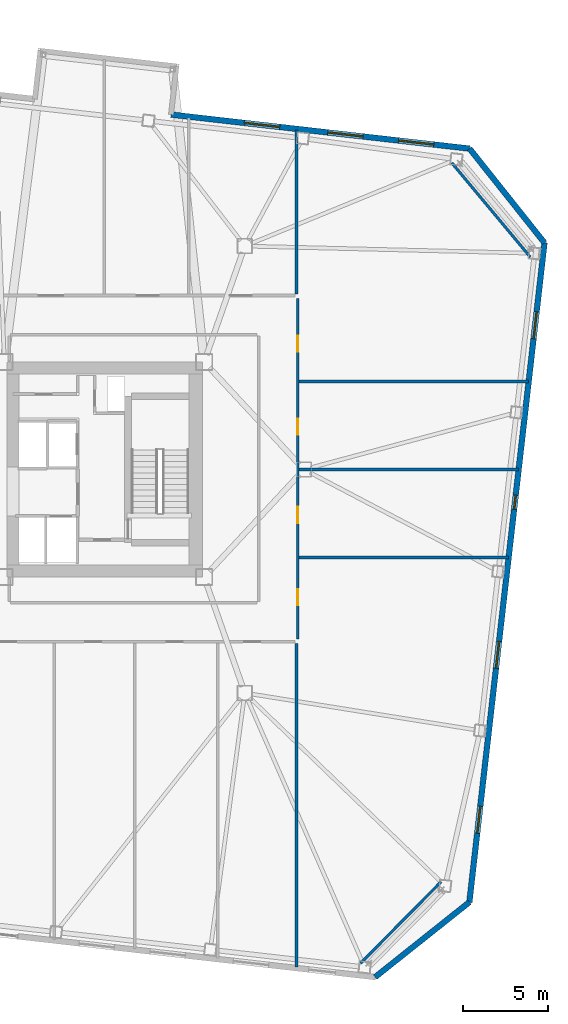
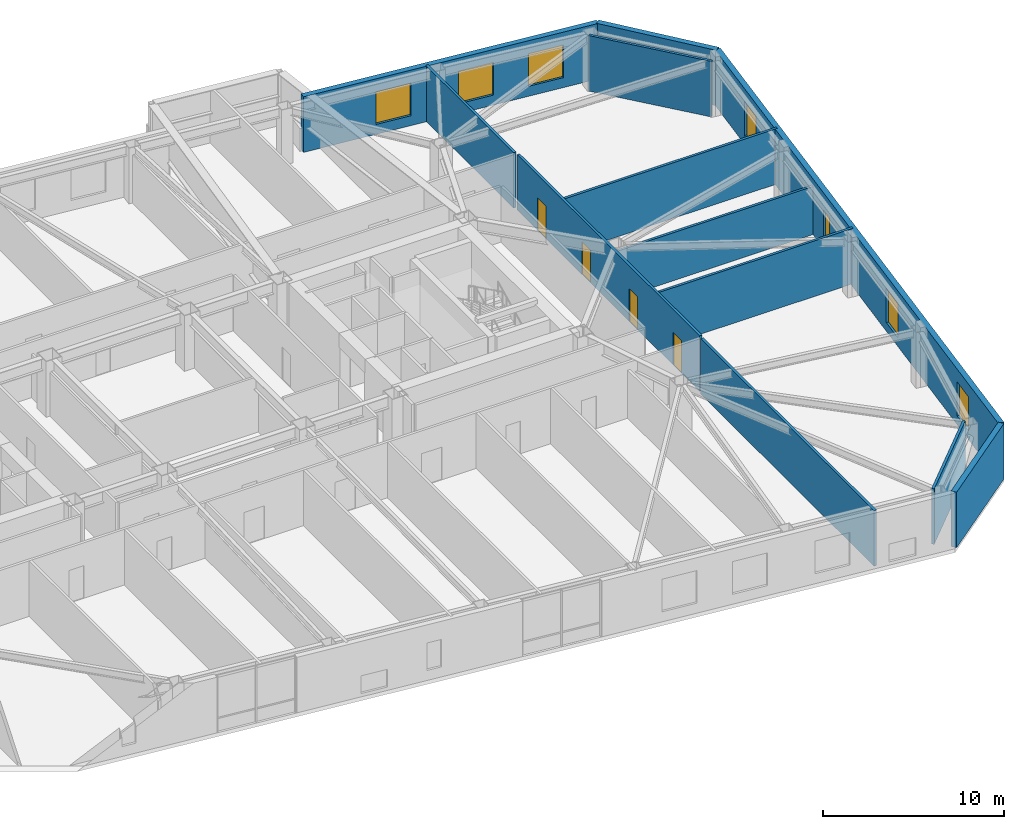
# One storey, part 16 of 22: 12 walls, 7 windows, 4 doors, 11 openings.
"""IFC4 building model written with IfcOpenShell, lengths in metres."""

import ifcopenshell
import ifcopenshell.guid

model = None  # the IFC model being written
_history = None  # IfcOwnerHistory: only IFC2X3 demands one
_inside = {}  # id of a spatial element -> (the spatial element, [elements in it])
_under = {}  # id of a project, library or spatial element -> (it, [spatial elements below it])
_declared = {}  # id of a project -> (the project, [libraries it declares])
_typed = {}  # id of a type object -> (the type object, [elements of that type])
_made_of = {}  # id of a material, layer set ... -> (it, [elements and type objects made of it])


def new_model(schema):
    """Start an empty IFC model of exactly this schema.

    Asked for "IFC4X3", IfcOpenShell would pick the latest addendum, in which some entities
    have other attributes; the version numbers below select the first issue.
    IFC2X3 requires an IfcOwnerHistory on every rooted entity: one is made here for all.
    """
    global model, _history
    if schema == "IFC4X3":
        model = ifcopenshell.file(schema_version=(4, 3, 0, 0))
    else:
        model = ifcopenshell.file(schema=schema)
    _inside.clear()
    _under.clear()
    _declared.clear()
    _typed.clear()
    _made_of.clear()
    _history = None
    if model.schema == "IFC2X3":
        org = make("IfcOrganization", Name="unknown")
        user = make(
            "IfcPersonAndOrganization",
            ThePerson=make("IfcPerson", FamilyName="unknown"),
            TheOrganization=org,
        )
        app = make(
            "IfcApplication",
            ApplicationDeveloper=org,
            Version="unknown",
            ApplicationFullName="unknown",
            ApplicationIdentifier="unknown",
        )
        _history = make(
            "IfcOwnerHistory",
            OwningUser=user,
            OwningApplication=app,
            ChangeAction="ADDED",
            CreationDate=0,
        )
    return model


def make(cls, **values):
    """One entity of the class cls with the attributes given. An attribute that is None is left unset."""
    return model.create_entity(
        cls, **{name: value for name, value in values.items() if value is not None}
    )


def rooted(cls, **values):
    """An entity with a GlobalId (a new one), such as an element, a storey or a relation."""
    return make(cls, GlobalId=ifcopenshell.guid.new(), OwnerHistory=_history, **values)


def si_unit(unit_type, name, prefix=None):
    """IfcSIUnit, for example si_unit("LENGTHUNIT", "METRE", prefix="MILLI")."""
    return make("IfcSIUnit", UnitType=unit_type, Prefix=prefix, Name=name)


def assignment(units):
    """IfcUnitAssignment: the units of a project."""
    return None if units is None else make("IfcUnitAssignment", Units=units)


def point(xyz):
    """IfcCartesianPoint."""
    return None if xyz is None else make("IfcCartesianPoint", Coordinates=xyz)


def direction(xyz):
    """IfcDirection."""
    return None if xyz is None else make("IfcDirection", DirectionRatios=xyz)


def frame(location, z_axis=None, x_axis=None):
    """IfcAxis2Placement3D, a coordinate frame: its origin and axes. An axis left out is left unset."""
    return make(
        "IfcAxis2Placement3D",
        Location=point(location),
        Axis=direction(z_axis),
        RefDirection=direction(x_axis),
    )


def frame_2d(location, x_axis=None):
    """IfcAxis2Placement2D, a coordinate frame in the plane: its origin and x axis."""
    return make(
        "IfcAxis2Placement2D", Location=point(location), RefDirection=direction(x_axis)
    )


def origin():
    """The frame at (0, 0, 0) with its axes left unset."""
    return frame((0.0, 0.0, 0.0))


def place(relative_to, where):
    """IfcLocalPlacement: puts the frame where relative to a parent placement (None: the world)."""
    return make(
        "IfcLocalPlacement", PlacementRelTo=relative_to, RelativePlacement=where
    )


def context(
    kind, dimensions, precision=None, world=None, true_north=None, identifier=None
):
    """IfcGeometricRepresentationContext, for example the 3D "Model" context."""
    return make(
        "IfcGeometricRepresentationContext",
        ContextIdentifier=identifier,
        ContextType=kind,
        CoordinateSpaceDimension=dimensions,
        Precision=precision,
        WorldCoordinateSystem=world,
        TrueNorth=true_north,
    )


def subcontext(parent, identifier, kind, view, scale=None):
    """IfcGeometricRepresentationSubContext, for example "Body" below "Model"."""
    return make(
        "IfcGeometricRepresentationSubContext",
        ContextIdentifier=identifier,
        ContextType=kind,
        ParentContext=parent,
        TargetScale=scale,
        TargetView=view,
    )


def project(units=None, contexts=None):
    """IfcProject with its units and contexts."""
    return rooted(
        "IfcProject",
        Name="project",
        RepresentationContexts=contexts,
        UnitsInContext=assignment(units),
    )


def spatial(cls, under=None, at=None, **own):
    """A site, building, storey or space (cls), placed at a placement, below another one or the project."""
    s = rooted(cls, ObjectPlacement=at, **own)
    if under is not None:
        _under.setdefault(under.id(), (under, []))[1].append(s)
    return s


def profile(cls, at=None, kind="AREA", **sizes):
    """A parametric profile (cls). Its sizes go by their IFC names, for example OverallWidth=200.0."""
    return make(cls, ProfileType=kind, Position=at, **sizes)


def rectangle(**sizes):
    """IfcRectangleProfileDef."""
    return profile("IfcRectangleProfileDef", **sizes)


def extrude(swept, where, along, depth):
    """IfcExtrudedAreaSolid: the profile swept, set in the frame where, extruded along a direction by depth."""
    return make(
        "IfcExtrudedAreaSolid",
        SweptArea=swept,
        Position=where,
        ExtrudedDirection=direction(along),
        Depth=depth,
    )


def shape(context_of_items, identifier, shape_type, items):
    """IfcShapeRepresentation: the items that make up one representation, for example the "Body"."""
    return make(
        "IfcShapeRepresentation",
        ContextOfItems=context_of_items,
        RepresentationIdentifier=identifier,
        RepresentationType=shape_type,
        Items=items,
    )


def material(Name=None, Category=None):
    """IfcMaterial."""
    return make("IfcMaterial", Name=Name, Category=Category)


def layer(
    of_material, thickness, ventilated=None, Name=None, Category=None, Priority=None
):
    """IfcMaterialLayer: one layer of a wall or slab, of a material (None: an air gap)."""
    return make(
        "IfcMaterialLayer",
        Material=of_material,
        LayerThickness=thickness,
        IsVentilated=ventilated,
        Name=Name,
        Category=Category,
        Priority=Priority,
    )


def layer_set(layers, Name=None):
    """IfcMaterialLayerSet."""
    return make("IfcMaterialLayerSet", MaterialLayers=layers, LayerSetName=Name)


def made_of(thing, what):
    """Note that an element or type object is made of a material, layer set ...; save() writes the relation."""
    if what is not None:
        _made_of.setdefault(what.id(), (what, []))[1].append(thing)
    return thing


def type_object(cls, material=None, **own):
    """A type object (cls), such as IfcWallType, which elements share."""
    return made_of(rooted(cls, **own), material)


def element(
    cls,
    number,
    at=None,
    inside=None,
    cuts=None,
    type_object=None,
    material=None,
    context=None,
    identifier="Body",
    shape_type=None,
    held_by="IfcProductDefinitionShape",
    body=None,
    shapes=None,
    **own,
):
    """One element of the class cls, such as IfcWall. Its Tag is "e" and its number.

    at: its placement. inside: the storey or other place that contains it. cuts: it is an
    opening in that element (IfcRelVoidsElement). A single representation is given by context,
    identifier, shape_type and body (its items); several are given by shapes. held_by: the class
    of the entity that holds the representations. save() writes the other relations.
    """
    e = rooted(cls, Tag="e%d" % number, ObjectPlacement=at, **own)
    if body is not None:
        shapes = [shape(context, identifier, shape_type, body)]
    if shapes is not None:
        e.Representation = make(held_by, Representations=shapes)
    if inside is not None:
        _inside.setdefault(inside.id(), (inside, []))[1].append(e)
    if cuts is not None:
        rooted(
            "IfcRelVoidsElement", RelatingBuildingElement=cuts, RelatedOpeningElement=e
        )
    if type_object is not None:
        _typed.setdefault(type_object.id(), (type_object, []))[1].append(e)
    return made_of(e, material)


def fill(opening, filler):
    """IfcRelFillsElement: the door or window that sits in an opening."""
    return rooted(
        "IfcRelFillsElement",
        RelatingOpeningElement=opening,
        RelatedBuildingElement=filler,
    )


def aggregate(whole, parts):
    """IfcRelAggregates: a whole, such as a stair, and the parts it consists of."""
    return rooted("IfcRelAggregates", RelatingObject=whole, RelatedObjects=parts)


def save(model, path):
    """Write the relations noted so far, then the file.

    IfcRelAggregates (storeys below a building ...), IfcRelContainedInSpatialStructure (elements
    in a storey), IfcRelDefinesByType, IfcRelAssociatesMaterial and IfcRelDeclares: one each for
    every whole, place, type object, material and project.
    """
    for whole, parts in _under.values():
        aggregate(whole, parts)
    for where, things in _inside.values():
        rooted(
            "IfcRelContainedInSpatialStructure",
            RelatedElements=things,
            RelatingStructure=where,
        )
    for kind, things in _typed.values():
        rooted("IfcRelDefinesByType", RelatedObjects=things, RelatingType=kind)
    for what, things in _made_of.values():
        rooted("IfcRelAssociatesMaterial", RelatedObjects=things, RelatingMaterial=what)
    for by, libraries in _declared.values():
        rooted("IfcRelDeclares", RelatingContext=by, RelatedDefinitions=libraries)
    model.write(path)


model = new_model("IFC4")

# Units and contexts
model_context = context("Model", 3, precision=1e-05, world=origin(), true_north=direction((0.0, 1.0)))
body_context = subcontext(model_context, "Body", "Model", "MODEL_VIEW")
ifc_project = project(units=[si_unit("LENGTHUNIT", "METRE"), si_unit("AREAUNIT", "SQUARE_METRE"), si_unit("VOLUMEUNIT", "CUBIC_METRE"), si_unit("PLANEANGLEUNIT", "RADIAN"), si_unit("MASSUNIT", "GRAM", prefix="KILO")], contexts=[model_context])

# Site, building, storey
site_placement = place(None, origin())
site = spatial("IfcSite", under=ifc_project, at=site_placement, CompositionType="ELEMENT")
building_placement = place(site_placement, origin())
building = spatial("IfcBuilding", under=site, at=building_placement, Name="Tavrogorsk Clinical Tower", CompositionType="ELEMENT")
storey_placement = place(building_placement, frame((0.0, 0.0, 117.39990234375)))
storey = spatial("IfcBuildingStorey", under=building, at=storey_placement, Name="L26", CompositionType="ELEMENT", Elevation=117.39990234375)

# Walls
ifc_material_1 = material(Name="Lightweight concrete blockwork B15", Category="masonry")
ifc_layer_1 = layer(ifc_material_1, 0.159912109375)
ifc_layer_set_1 = layer_set([ifc_layer_1], Name="Lightweight concrete blockwork B15")
wall_type_1 = type_object("IfcWallType", Name="PartitionWall_160", PredefinedType="PARTITIONING", material=ifc_layer_set_1)
wall_1_placement = place(storey_placement, frame((31.34130859375, -29.162109375, 0.0), z_axis=(0.0, 0.0, 1.0), x_axis=(0.702905898933, 0.711282853192, 0.0)))
element("IfcWall", 1, at=wall_1_placement, inside=storey, type_object=wall_type_1, Name="L26 Corner Exoskeleton Brace Furring Wall 1", PredefinedType="PARTITIONING", context=body_context, shape_type="SweptSolid", body=[
    extrude(rectangle(XDim=6.761474609375, YDim=0.159912109375, at=frame_2d((3.380859375, 0.0))), origin(), (0.0, 0.0, 1.0), 3.739990234375),
])
wall_2_placement = place(storey_placement, frame((41.36083984375, 12.555908203125, 0.0), z_axis=(0.0, 0.0, 1.0), x_axis=(-0.640217638562, 0.768193579298, 0.0)))
element("IfcWall", 2, at=wall_2_placement, inside=storey, type_object=wall_type_1, Name="L26 Corner Exoskeleton Brace Furring Wall 2", PredefinedType="PARTITIONING", context=body_context, shape_type="SweptSolid", body=[
    extrude(rectangle(XDim=7.224365234375, YDim=0.159912109375, at=frame_2d((3.6123046875, 0.0))), origin(), (0.0, 0.0, 1.0), 3.739990234375),
])

# Wall, openings, doors
wall_3_placement = place(storey_placement, frame((27.6298828125, 10.114990234375, 0.0), z_axis=(0.0, 0.0, 1.0), x_axis=(0.0, -1.0, 0.0)))
wall_3 = element("IfcWall", 3, at=wall_3_placement, inside=storey, type_object=wall_type_1, Name="L26 Corridor Partition 03", PredefinedType="PARTITIONING", context=body_context, shape_type="SweptSolid", body=[
    extrude(rectangle(XDim=20.1298828125, YDim=0.159912109375, at=frame_2d((10.06494140625, 0.0))), origin(), (0.0, 0.0, 1.0), 3.739990234375),
])
opening_1_placement = place(wall_3_placement, frame((17.180908203125, 0.0, 0.0)))
opening_1 = element("IfcOpeningElement", 4, at=opening_1_placement, cuts=wall_3, Name="Opening ID-02", PredefinedType="OPENING", context=body_context, shape_type="SweptSolid", body=[
    extrude(rectangle(XDim=0.949951171875, YDim=2.199951171875, at=frame_2d((0.47509765625, 1.10009765625))), frame((0.0, 0.08984375, 0.0), z_axis=(0.0, -1.0, 0.0), x_axis=(1.0, 0.0, 0.0)), (0.0, 0.0, 1.0), 0.179931640625),
])
opening_2_placement = place(wall_3_placement, frame((12.324951171875, 0.0, 0.0)))
opening_2 = element("IfcOpeningElement", 5, at=opening_2_placement, cuts=wall_3, Name="Opening ID-02", PredefinedType="OPENING", context=body_context, shape_type="SweptSolid", body=[
    extrude(rectangle(XDim=0.949951171875, YDim=2.199951171875, at=frame_2d((0.47509765625, 1.10009765625))), frame((0.0, 0.08984375, 0.0), z_axis=(0.0, -1.0, 0.0), x_axis=(1.0, 0.0, 0.0)), (0.0, 0.0, 1.0), 0.179931640625),
])
opening_3_placement = place(wall_3_placement, frame((7.125, 0.0, 0.0)))
opening_3 = element("IfcOpeningElement", 6, at=opening_3_placement, cuts=wall_3, Name="Opening ID-02", PredefinedType="OPENING", context=body_context, shape_type="SweptSolid", body=[
    extrude(rectangle(XDim=0.949951171875, YDim=2.199951171875, at=frame_2d((0.47509765625, 1.10009765625))), frame((0.0, 0.08984375, 0.0), z_axis=(0.0, -1.0, 0.0), x_axis=(1.0, 0.0, 0.0)), (0.0, 0.0, 1.0), 0.179931640625),
])
opening_4_placement = place(wall_3_placement, frame((2.218994140625, 0.0, 0.0)))
opening_4 = element("IfcOpeningElement", 7, at=opening_4_placement, cuts=wall_3, Name="Opening ID-02", PredefinedType="OPENING", context=body_context, shape_type="SweptSolid", body=[
    extrude(rectangle(XDim=0.949951171875, YDim=2.199951171875, at=frame_2d((0.47509765625, 1.10009765625))), frame((0.0, 0.08984375, 0.0), z_axis=(0.0, -1.0, 0.0), x_axis=(1.0, 0.0, 0.0)), (0.0, 0.0, 1.0), 0.179931640625),
])
ifc_material_2 = material(Name="Laminated timber leaf on aluminium frame", Category="wood")
door_type = type_object("IfcDoorType", Name="InteriorDoor_ID02_950", OperationType="NOTDEFINED", PredefinedType="DOOR", material=ifc_material_2)
door_1_placement = place(opening_1_placement, origin())
door_1 = element("IfcDoor", 8, at=door_1_placement, inside=storey, type_object=door_type, Name="L26 E Senior Clinician Suite 1 Door", OperationType="SINGLE_SWING_LEFT", OverallHeight=2.199951171875, OverallWidth=0.949951171875, PredefinedType="DOOR", context=body_context, shape_type="SweptSolid", body=[
    extrude(rectangle(XDim=0.949951171875, YDim=2.199951171875, at=frame_2d((0.47509765625, 1.10009765625))), frame((0.0, 0.02490234375, 0.0), z_axis=(0.0, -1.0, 0.0), x_axis=(1.0, 0.0, 0.0)), (0.0, 0.0, 1.0), 0.050048828125),
])
fill(opening_1, door_1)
door_2_placement = place(opening_2_placement, origin())
door_2 = element("IfcDoor", 9, at=door_2_placement, inside=storey, type_object=door_type, Name="L26 E Multidisciplinary Seminar Suite 2 Door", OperationType="SINGLE_SWING_RIGHT", OverallHeight=2.199951171875, OverallWidth=0.949951171875, PredefinedType="DOOR", context=body_context, shape_type="SweptSolid", body=[
    extrude(rectangle(XDim=0.949951171875, YDim=2.199951171875, at=frame_2d((0.47509765625, 1.10009765625))), frame((0.0, 0.02490234375, 0.0), z_axis=(0.0, -1.0, 0.0), x_axis=(1.0, 0.0, 0.0)), (0.0, 0.0, 1.0), 0.050048828125),
])
fill(opening_2, door_2)
door_3_placement = place(opening_3_placement, origin())
door_3 = element("IfcDoor", 10, at=door_3_placement, inside=storey, type_object=door_type, Name="L26 E Specialist Consultation Room 3 Door", OperationType="SINGLE_SWING_LEFT", OverallHeight=2.199951171875, OverallWidth=0.949951171875, PredefinedType="DOOR", context=body_context, shape_type="SweptSolid", body=[
    extrude(rectangle(XDim=0.949951171875, YDim=2.199951171875, at=frame_2d((0.47509765625, 1.10009765625))), frame((0.0, 0.02490234375, 0.0), z_axis=(0.0, -1.0, 0.0), x_axis=(1.0, 0.0, 0.0)), (0.0, 0.0, 1.0), 0.050048828125),
])
fill(opening_3, door_3)
door_4_placement = place(opening_4_placement, origin())
door_4 = element("IfcDoor", 11, at=door_4_placement, inside=storey, type_object=door_type, Name="L26 E Clinical Fellows' Study 4 Door", OperationType="SINGLE_SWING_RIGHT", OverallHeight=2.199951171875, OverallWidth=0.949951171875, PredefinedType="DOOR", context=body_context, shape_type="SweptSolid", body=[
    extrude(rectangle(XDim=0.949951171875, YDim=2.199951171875, at=frame_2d((0.47509765625, 1.10009765625))), frame((0.0, 0.02490234375, 0.0), z_axis=(0.0, -1.0, 0.0), x_axis=(1.0, 0.0, 0.0)), (0.0, 0.0, 1.0), 0.050048828125),
])
fill(opening_4, door_4)

# Walls
wall_4_placement = place(storey_placement, frame((27.550048828125, 10.364990234375, 0.0), z_axis=(0.0, 0.0, 1.0), x_axis=(0.0, 1.0, 0.0)))
element("IfcWall", 12, at=wall_4_placement, inside=storey, type_object=wall_type_1, Name="L26 NE Wing Closure Partition", PredefinedType="PARTITIONING", context=body_context, shape_type="SweptSolid", body=[
    extrude(rectangle(XDim=9.6884765625, YDim=0.159912109375, at=frame_2d((4.84423828125, 0.0))), origin(), (0.0, 0.0, 1.0), 3.739990234375),
])
wall_5_placement = place(storey_placement, frame((27.550048828125, -29.384521484375, 0.0), z_axis=(0.0, 0.0, 1.0), x_axis=(0.0, 1.0, 0.0)))
element("IfcWall", 13, at=wall_5_placement, inside=storey, type_object=wall_type_1, Name="L26 SE Wing Closure Partition", PredefinedType="PARTITIONING", context=body_context, shape_type="SweptSolid", body=[
    extrude(rectangle(XDim=19.11962890625, YDim=0.159912109375, at=frame_2d((9.559814453125, 0.0))), origin(), (0.0, 0.0, 1.0), 3.739990234375),
])
wall_6_placement = place(storey_placement, frame((27.715087890625, -5.199951171875, 0.0), z_axis=(0.0, 0.0, 1.0), x_axis=(1.0, 0.0, 0.0)))
element("IfcWall", 14, at=wall_6_placement, inside=storey, type_object=wall_type_1, Name="L26 E Wing Divider 1", PredefinedType="PARTITIONING", context=body_context, shape_type="SweptSolid", body=[
    extrude(rectangle(XDim=12.35205078125, YDim=0.159912109375, at=frame_2d((6.176025390625, 0.0))), origin(), (0.0, 0.0, 1.0), 3.739990234375),
])
wall_7_placement = place(storey_placement, frame((27.715087890625, 0.0, 0.0), z_axis=(0.0, 0.0, 1.0), x_axis=(1.0, 0.0, 0.0)))
element("IfcWall", 15, at=wall_7_placement, inside=storey, type_object=wall_type_1, Name="L26 E Wing Divider 2", PredefinedType="PARTITIONING", context=body_context, shape_type="SweptSolid", body=[
    extrude(rectangle(XDim=12.944580078125, YDim=0.159912109375, at=frame_2d((6.47216796875, 0.0))), origin(), (0.0, 0.0, 1.0), 3.235107421875),
])
wall_8_placement = place(storey_placement, frame((27.715087890625, 5.199951171875, 0.0), z_axis=(0.0, 0.0, 1.0), x_axis=(1.0, 0.0, 0.0)))
element("IfcWall", 16, at=wall_8_placement, inside=storey, type_object=wall_type_1, Name="L26 E Wing Divider 3", PredefinedType="PARTITIONING", context=body_context, shape_type="SweptSolid", body=[
    extrude(rectangle(XDim=13.537109375, YDim=0.159912109375, at=frame_2d((6.7685546875, 0.0))), origin(), (0.0, 0.0, 1.0), 3.739990234375),
])

# Wall, openings, windows
ifc_material_3 = material(Name="Precast concrete B45 with limestone cladding", Category="masonry")
ifc_layer_2 = layer(ifc_material_3, 0.340087890625)
ifc_layer_set_2 = layer_set([ifc_layer_2], Name="Precast concrete B45 with limestone cladding")
wall_type_2 = type_object("IfcWallType", Name="PrecastLimestoneWall_340", PredefinedType="STANDARD", material=ifc_layer_set_2)
wall_9_placement = place(storey_placement, frame((37.77734375, 18.95849609375, 0.0), z_axis=(0.0, 0.0, 1.0), x_axis=(-0.993570699365, 0.113213362125, 0.0)))
wall_9 = element("IfcWall", 17, at=wall_9_placement, inside=storey, type_object=wall_type_2, Name="L26 N Limestone Facade Wall 1", PredefinedType="STANDARD", context=body_context, shape_type="SweptSolid", body=[
    extrude(rectangle(XDim=17.749755859375, YDim=0.340087890625, at=frame_2d((8.875, 0.0))), origin(), (0.0, 0.0, 1.0), 3.739990234375),
])
opening_5_placement = place(wall_9_placement, frame((11.284912109375, 0.0, 0.669921875)))
opening_5 = element("IfcOpeningElement", 18, at=opening_5_placement, cuts=wall_9, Name="Opening WN-03", PredefinedType="OPENING", context=body_context, shape_type="SweptSolid", body=[
    extrude(rectangle(XDim=2.10009765625, YDim=2.199951171875, at=frame_2d((1.050048828125, 1.10009765625))), frame((0.0, 0.179931640625, 0.0), z_axis=(0.0, -1.0, 0.0), x_axis=(1.0, 0.0, 0.0)), (0.0, 0.0, 1.0), 0.360107421875),
])
opening_6_placement = place(wall_9_placement, frame((6.335693359375, 0.0, 0.669921875)))
opening_6 = element("IfcOpeningElement", 19, at=opening_6_placement, cuts=wall_9, Name="Opening WN-03", PredefinedType="OPENING", context=body_context, shape_type="SweptSolid", body=[
    extrude(rectangle(XDim=2.10009765625, YDim=2.199951171875, at=frame_2d((1.050048828125, 1.10009765625))), frame((0.0, 0.179931640625, 0.0), z_axis=(0.0, -1.0, 0.0), x_axis=(1.0, 0.0, 0.0)), (0.0, 0.0, 1.0), 0.360107421875),
])
opening_7_placement = place(wall_9_placement, frame((2.125244140625, 0.0, 0.669921875)))
opening_7 = element("IfcOpeningElement", 20, at=opening_7_placement, cuts=wall_9, Name="Opening WN-03", PredefinedType="OPENING", context=body_context, shape_type="SweptSolid", body=[
    extrude(rectangle(XDim=2.10009765625, YDim=2.199951171875, at=frame_2d((1.050048828125, 1.10009765625))), frame((0.0, 0.179931640625, 0.0), z_axis=(0.0, -1.0, 0.0), x_axis=(1.0, 0.0, 0.0)), (0.0, 0.0, 1.0), 0.360107421875),
])
ifc_material_4 = material(Name="Thermally broken aluminium frame and triple IGU", Category="aluminium")
window_type_1 = type_object("IfcWindowType", Name="PatientTwinWin_2100x2200", PartitioningType="DOUBLE_PANEL_VERTICAL", PredefinedType="WINDOW", material=ifc_material_4)
window_1_placement = place(opening_5_placement, origin())
window_1 = element("IfcWindow", 21, at=window_1_placement, inside=storey, type_object=window_type_1, Name="L26 N Chicago Window 08", OverallHeight=2.199951171875, OverallWidth=2.10009765625, PartitioningType="SINGLE_PANEL", PredefinedType="WINDOW", context=body_context, shape_type="SweptSolid", body=[
    extrude(rectangle(XDim=2.10009765625, YDim=2.199951171875, at=frame_2d((1.050048828125, 1.10009765625))), frame((0.0, 0.030029296875, 0.0), z_axis=(0.0, -1.0, 0.0), x_axis=(1.0, 0.0, 0.0)), (0.0, 0.0, 1.0), 0.06005859375),
])
fill(opening_5, window_1)
window_2_placement = place(opening_6_placement, origin())
window_2 = element("IfcWindow", 22, at=window_2_placement, inside=storey, type_object=window_type_1, Name="L26 N Chicago Window 09", OverallHeight=2.199951171875, OverallWidth=2.10009765625, PartitioningType="SINGLE_PANEL", PredefinedType="WINDOW", context=body_context, shape_type="SweptSolid", body=[
    extrude(rectangle(XDim=2.10009765625, YDim=2.199951171875, at=frame_2d((1.050048828125, 1.10009765625))), frame((0.0, 0.030029296875, 0.0), z_axis=(0.0, -1.0, 0.0), x_axis=(1.0, 0.0, 0.0)), (0.0, 0.0, 1.0), 0.06005859375),
])
fill(opening_6, window_2)
window_3_placement = place(opening_7_placement, origin())
window_3 = element("IfcWindow", 23, at=window_3_placement, inside=storey, type_object=window_type_1, Name="L26 N Chicago Window 10", OverallHeight=2.199951171875, OverallWidth=2.10009765625, PartitioningType="SINGLE_PANEL", PredefinedType="WINDOW", context=body_context, shape_type="SweptSolid", body=[
    extrude(rectangle(XDim=2.10009765625, YDim=2.199951171875, at=frame_2d((1.050048828125, 1.10009765625))), frame((0.0, 0.030029296875, 0.0), z_axis=(0.0, -1.0, 0.0), x_axis=(1.0, 0.0, 0.0)), (0.0, 0.0, 1.0), 0.06005859375),
])
fill(opening_7, window_3)

wall_10_placement = place(storey_placement, frame((37.76806640625, -25.556396484375, 0.0), z_axis=(0.0, 0.0, 1.0), x_axis=(0.113201605824, 0.993572038877, 0.0)))
wall_10 = element("IfcWall", 24, at=wall_10_placement, inside=storey, type_object=wall_type_2, Name="L26 E Pleated Limestone Wing Wall", PredefinedType="STANDARD", context=body_context, shape_type="SweptSolid", body=[
    extrude(rectangle(XDim=39.199951171875, YDim=0.340087890625, at=frame_2d((19.60009765625, 0.0))), origin(), (0.0, 0.0, 1.0), 3.739990234375),
])
opening_8_placement = place(wall_10_placement, frame((4.10009765625, 0.0, 0.580078125)))
opening_8 = element("IfcOpeningElement", 25, at=opening_8_placement, cuts=wall_10, Name="Opening WN-07", PredefinedType="OPENING", context=body_context, shape_type="SweptSolid", body=[
    extrude(rectangle(XDim=1.60009765625, YDim=2.300048828125, at=frame_2d((0.800048828125, 1.14990234375))), frame((0.0, 0.179931640625, 0.0), z_axis=(0.0, -1.0, 0.0), x_axis=(1.0, 0.0, 0.0)), (0.0, 0.0, 1.0), 0.360107421875),
])
opening_9_placement = place(wall_10_placement, frame((13.89990234375, 0.0, 0.580078125)))
opening_9 = element("IfcOpeningElement", 26, at=opening_9_placement, cuts=wall_10, Name="Opening WN-07", PredefinedType="OPENING", context=body_context, shape_type="SweptSolid", body=[
    extrude(rectangle(XDim=1.60009765625, YDim=2.300048828125, at=frame_2d((0.800048828125, 1.14990234375))), frame((0.0, 0.179931640625, 0.0), z_axis=(0.0, -1.0, 0.0), x_axis=(1.0, 0.0, 0.0)), (0.0, 0.0, 1.0), 0.360107421875),
])
opening_10_placement = place(wall_10_placement, frame((23.35009765625, 0.0, 0.75)))
opening_10 = element("IfcOpeningElement", 27, at=opening_10_placement, cuts=wall_10, Name="Opening WN-06", PredefinedType="OPENING", context=body_context, shape_type="SweptSolid", body=[
    extrude(rectangle(XDim=0.85009765625, YDim=1.85009765625, at=frame_2d((0.425048828125, 0.925048828125))), frame((0.0, 0.179931640625, 0.0), z_axis=(0.0, -1.0, 0.0), x_axis=(1.0, 0.0, 0.0)), (0.0, 0.0, 1.0), 0.360107421875),
])
opening_11_placement = place(wall_10_placement, frame((33.5, 0.0, 0.580078125)))
opening_11 = element("IfcOpeningElement", 28, at=opening_11_placement, cuts=wall_10, Name="Opening WN-07", PredefinedType="OPENING", context=body_context, shape_type="SweptSolid", body=[
    extrude(rectangle(XDim=1.60009765625, YDim=2.300048828125, at=frame_2d((0.800048828125, 1.14990234375))), frame((0.0, 0.179931640625, 0.0), z_axis=(0.0, -1.0, 0.0), x_axis=(1.0, 0.0, 0.0)), (0.0, 0.0, 1.0), 0.360107421875),
])
ifc_material_5 = material(Name="Thermally broken aluminium frame and triple IGU", Category="aluminium")
window_type_2 = type_object("IfcWindowType", Name="MullionSubWin_850x1850", PartitioningType="SINGLE_PANEL", PredefinedType="WINDOW", material=ifc_material_5)
window_4_placement = place(opening_10_placement, origin())
window_4 = element("IfcWindow", 29, at=window_4_placement, inside=storey, type_object=window_type_2, Name="L26 E Pleat Mullion Window 3A", OverallHeight=1.85009765625, OverallWidth=0.85009765625, PartitioningType="SINGLE_PANEL", PredefinedType="WINDOW", context=body_context, shape_type="SweptSolid", body=[
    extrude(rectangle(XDim=0.85009765625, YDim=1.85009765625, at=frame_2d((0.425048828125, 0.925048828125))), frame((0.0, 0.030029296875, 0.0), z_axis=(0.0, -1.0, 0.0), x_axis=(1.0, 0.0, 0.0)), (0.0, 0.0, 1.0), 0.06005859375),
])
fill(opening_10, window_4)
ifc_material_6 = material(Name="Thermally broken aluminium frame and triple IGU", Category="aluminium")
window_type_3 = type_object("IfcWindowType", Name="PleatSlotWin_1600x2300", PartitioningType="SINGLE_PANEL", PredefinedType="WINDOW", material=ifc_material_6)
window_5_placement = place(opening_8_placement, origin())
window_5 = element("IfcWindow", 30, at=window_5_placement, inside=storey, type_object=window_type_3, Name="L26 E Pleat Slot Window 1", OverallHeight=2.300048828125, OverallWidth=1.60009765625, PartitioningType="SINGLE_PANEL", PredefinedType="WINDOW", context=body_context, shape_type="SweptSolid", body=[
    extrude(rectangle(XDim=1.60009765625, YDim=2.300048828125, at=frame_2d((0.800048828125, 1.14990234375))), frame((0.0, 0.030029296875, 0.0), z_axis=(0.0, -1.0, 0.0), x_axis=(1.0, 0.0, 0.0)), (0.0, 0.0, 1.0), 0.06005859375),
])
fill(opening_8, window_5)
window_6_placement = place(opening_9_placement, origin())
window_6 = element("IfcWindow", 31, at=window_6_placement, inside=storey, type_object=window_type_3, Name="L26 E Pleat Slot Window 2", OverallHeight=2.300048828125, OverallWidth=1.60009765625, PartitioningType="SINGLE_PANEL", PredefinedType="WINDOW", context=body_context, shape_type="SweptSolid", body=[
    extrude(rectangle(XDim=1.60009765625, YDim=2.300048828125, at=frame_2d((0.800048828125, 1.14990234375))), frame((0.0, 0.030029296875, 0.0), z_axis=(0.0, -1.0, 0.0), x_axis=(1.0, 0.0, 0.0)), (0.0, 0.0, 1.0), 0.06005859375),
])
fill(opening_9, window_6)
window_7_placement = place(opening_11_placement, origin())
window_7 = element("IfcWindow", 32, at=window_7_placement, inside=storey, type_object=window_type_3, Name="L26 E Pleat Slot Window 4", OverallHeight=2.300048828125, OverallWidth=1.60009765625, PartitioningType="SINGLE_PANEL", PredefinedType="WINDOW", context=body_context, shape_type="SweptSolid", body=[
    extrude(rectangle(XDim=1.60009765625, YDim=2.300048828125, at=frame_2d((0.800048828125, 1.14990234375))), frame((0.0, 0.030029296875, 0.0), z_axis=(0.0, -1.0, 0.0), x_axis=(1.0, 0.0, 0.0)), (0.0, 0.0, 1.0), 0.06005859375),
])
fill(opening_11, window_7)

# Walls
wall_11_placement = place(storey_placement, frame((32.200927734375, -29.984619140625, 0.0), z_axis=(0.0, 0.0, 1.0), x_axis=(0.78261359446, 0.622507800567, 0.0)))
element("IfcWall", 33, at=wall_11_placement, inside=storey, type_object=wall_type_2, Name="L26 Chamfered Corner Wall 1", PredefinedType="STANDARD", context=body_context, shape_type="SweptSolid", body=[
    extrude(rectangle(XDim=7.113525390625, YDim=0.340087890625, at=frame_2d((3.556640625, 0.0))), origin(), (0.0, 0.0, 1.0), 3.739990234375),
])
wall_12_placement = place(storey_placement, frame((42.20556640625, 13.3916015625, 0.0), z_axis=(0.0, 0.0, 1.0), x_axis=(-0.622524521309, 0.782600294128, 0.0)))
element("IfcWall", 34, at=wall_12_placement, inside=storey, type_object=wall_type_2, Name="L26 Chamfered Corner Wall 2", PredefinedType="STANDARD", context=body_context, shape_type="SweptSolid", body=[
    extrude(rectangle(XDim=7.11328125, YDim=0.340087890625, at=frame_2d((3.556640625, 0.0))), origin(), (0.0, 0.0, 1.0), 3.739990234375),
])

save(model, "model.ifc")
